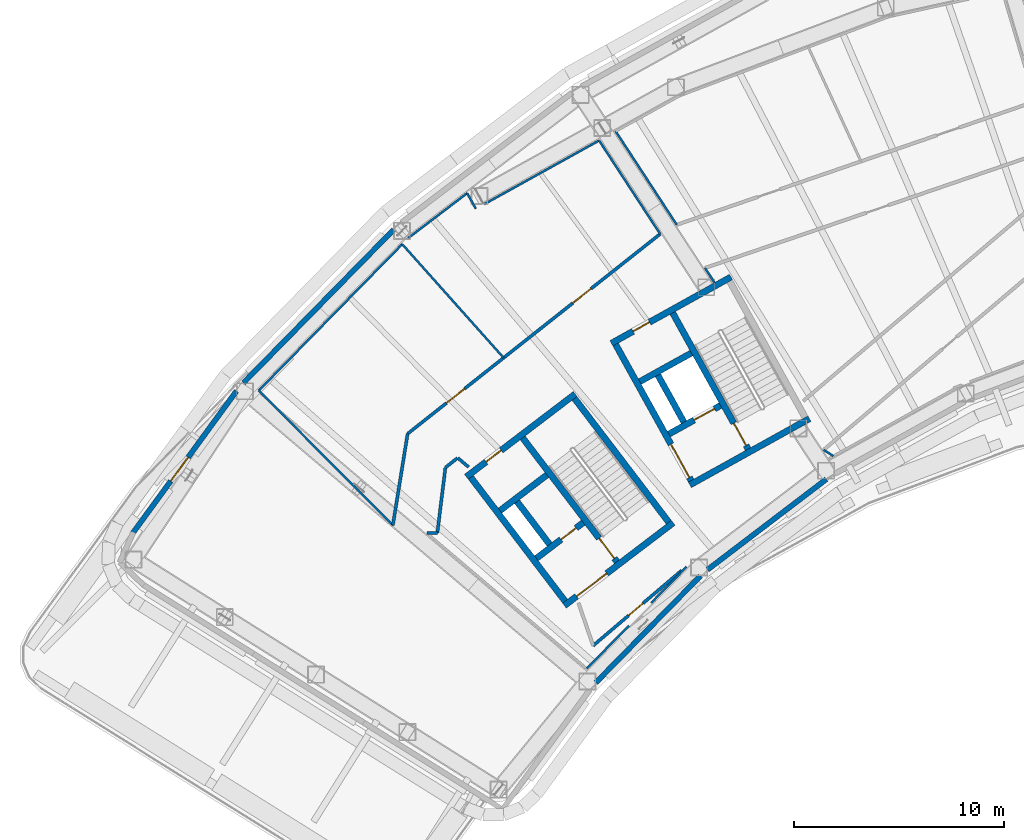
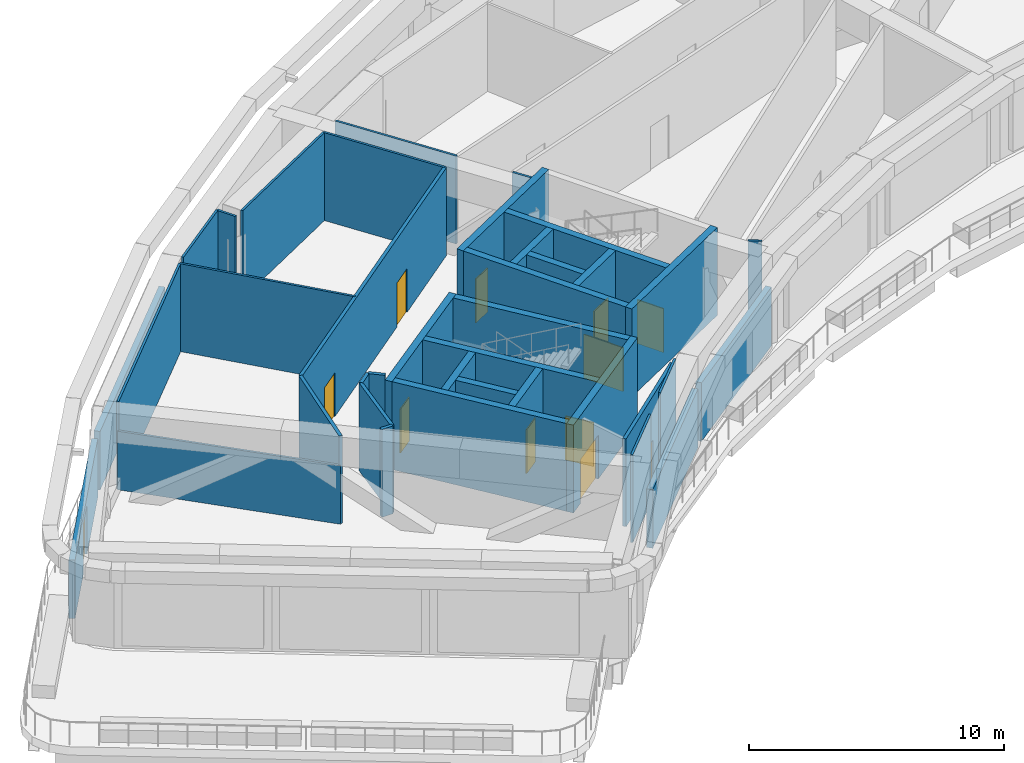
# One storey, part 7 of 25: 38 walls, 12 doors, 12 openings.
"""IFC4 building model written with IfcOpenShell, lengths in metres."""

from ifc_helpers import new_model, si_unit, direction, frame, frame_2d, origin, place, context, subcontext, project, spatial, rectangle, extrude, material, layer, layer_set, type_object, element, fill, save


model = new_model("IFC4")

# Units and contexts
model_context = context("Model", 3, precision=1e-05, world=origin(), true_north=direction((0.0, 1.0)))
body_context = subcontext(model_context, "Body", "Model", "MODEL_VIEW")
ifc_project = project(units=[si_unit("LENGTHUNIT", "METRE"), si_unit("AREAUNIT", "SQUARE_METRE"), si_unit("VOLUMEUNIT", "CUBIC_METRE"), si_unit("PLANEANGLEUNIT", "RADIAN"), si_unit("MASSUNIT", "GRAM", prefix="KILO")], contexts=[model_context])

# Site, building, storey
site_placement = place(None, origin())
site = spatial("IfcSite", under=ifc_project, at=site_placement, CompositionType="ELEMENT")
building_placement = place(site_placement, origin())
building = spatial("IfcBuilding", under=site, at=building_placement, Name="Tuul Gate Civic Tower", CompositionType="ELEMENT")
storey_placement = place(building_placement, frame((0.0, 0.0, 60.89990234375)))
storey = spatial("IfcBuildingStorey", under=building, at=storey_placement, Name="Plant and refuge floor 2", CompositionType="ELEMENT", Elevation=60.89990234375)

# Wall, opening, door
ifc_material_1 = material(Name="Concrete C50/60", Category="concrete")
ifc_layer_1 = layer(ifc_material_1, 0.300048828125)
ifc_layer_set_1 = layer_set([ifc_layer_1], Name="Concrete C50/60")
wall_type_1 = type_object("IfcWallType", Name="Core wall C50/60", PredefinedType="SHEAR", material=ifc_layer_set_1)
wall_1_placement = place(storey_placement, frame((-31.19091796875, -13.669677734375, 0.0), z_axis=(0.0, 0.0, 1.0), x_axis=(-0.795606717756, -0.605813461934, 0.0)))
wall_1 = element("IfcWall", 1, at=wall_1_placement, inside=storey, type_object=wall_type_1, Name="Core wall", PredefinedType="SHEAR", context=body_context, shape_type="SweptSolid", body=[
    extrude(rectangle(XDim=6.5, YDim=0.300048828125, at=frame_2d((3.25, 0.0))), origin(), (0.0, 0.0, 1.0), 4.2001953125),
])
opening_1_placement = place(wall_1_placement, frame((3.97509765625, 0.0, 0.0)))
opening_1 = element("IfcOpeningElement", 2, at=opening_1_placement, cuts=wall_1, Name="Opening LB-W1-LOBBY-1", PredefinedType="OPENING", context=body_context, shape_type="SweptSolid", body=[
    extrude(rectangle(XDim=1.800048828125, YDim=2.10009765625, at=frame_2d((0.89990234375, 1.050048828125))), frame((0.0, 0.16015625, 0.0), z_axis=(0.0, -1.0, 0.0), x_axis=(1.0, 0.0, 0.0)), (0.0, 0.0, 1.0), 0.320068359375),
])
ifc_material_2 = material(Name="Steel", Category="steel")
door_type_1 = type_object("IfcDoorType", Name="Lobby door", OperationType="DOUBLE_DOOR_SINGLE_SWING", PredefinedType="DOOR", material=ifc_material_2)
door_1_placement = place(opening_1_placement, origin())
door_1 = element("IfcDoor", 3, at=door_1_placement, inside=storey, type_object=door_type_1, Name="Lobby door W1-LOBBY", OperationType="DOUBLE_DOOR_SINGLE_SWING", OverallHeight=2.10009765625, OverallWidth=1.800048828125, PredefinedType="DOOR", context=body_context, shape_type="SweptSolid", body=[
    extrude(rectangle(XDim=1.800048828125, YDim=2.10009765625, at=frame_2d((0.89990234375, 1.050048828125))), frame((0.0, 0.02490234375, 0.0), z_axis=(0.0, -1.0, 0.0), x_axis=(1.0, 0.0, 0.0)), (0.0, 0.0, 1.0), 0.050048828125),
])
fill(opening_1, door_1)

wall_2_placement = place(storey_placement, frame((-35.470947265625, -13.66064453125, 0.0), z_axis=(0.0, 0.0, 1.0), x_axis=(-0.795615822227, -0.605801504968, 0.0)))
wall_2 = element("IfcWall", 4, at=wall_2_placement, inside=storey, type_object=wall_type_1, Name="Core wall", PredefinedType="SHEAR", context=body_context, shape_type="SweptSolid", body=[
    extrude(rectangle(XDim=2.800048828125, YDim=0.300048828125, at=frame_2d((1.39990234375, 0.0))), origin(), (0.0, 0.0, 1.0), 4.2001953125),
])
opening_2_placement = place(wall_2_placement, frame((0.425048828125, 0.0, 0.0)))
opening_2 = element("IfcOpeningElement", 5, at=opening_2_placement, cuts=wall_2, Name="Opening FB-W1A1", PredefinedType="OPENING", context=body_context, shape_type="SweptSolid", body=[
    extrude(rectangle(XDim=0.89990234375, YDim=2.10009765625, at=frame_2d((0.449951171875, 1.050048828125))), frame((0.0, 0.16015625, 0.0), z_axis=(0.0, -1.0, 0.0), x_axis=(1.0, 0.0, 0.0)), (0.0, 0.0, 1.0), 0.320068359375),
])
ifc_material_3 = material(Name="Steel", Category="steel")
door_type_2 = type_object("IfcDoorType", Name="Store door", OperationType="NOTDEFINED", PredefinedType="DOOR", material=ifc_material_3)
door_2_placement = place(opening_2_placement, frame((0.89990234375, 0.0, 0.0), z_axis=(0.0, 0.0, 1.0), x_axis=(-1.0, 0.0, 0.0)))
door_2 = element("IfcDoor", 6, at=door_2_placement, inside=storey, type_object=door_type_2, Name="Store door W1A1", OperationType="SINGLE_SWING_RIGHT", OverallHeight=2.10009765625, OverallWidth=0.89990234375, PredefinedType="DOOR", context=body_context, shape_type="SweptSolid", body=[
    extrude(rectangle(XDim=0.89990234375, YDim=2.10009765625, at=frame_2d((0.449951171875, 1.050048828125))), frame((0.0, 0.02490234375, 0.0), z_axis=(0.0, -1.0, 0.0), x_axis=(1.0, 0.0, 0.0)), (0.0, 0.0, 1.0), 0.050048828125),
])
fill(opening_2, door_2)

# Wall
wall_3_placement = place(storey_placement, frame((-37.197509765625, -11.39306640625, 0.0), z_axis=(0.0, 0.0, 1.0), x_axis=(-0.795583820278, -0.605843531707, 0.0)))
element("IfcWall", 7, at=wall_3_placement, inside=storey, type_object=wall_type_1, Name="Core wall", PredefinedType="SHEAR", context=body_context, shape_type="SweptSolid", body=[
    extrude(rectangle(XDim=2.7998046875, YDim=0.300048828125, at=frame_2d((1.39990234375, 0.0))), origin(), (0.0, 0.0, 1.0), 4.2001953125),
])

# Wall, opening, door
wall_4_placement = place(storey_placement, frame((-35.855224609375, -7.543212890625, 0.0), z_axis=(0.0, 0.0, 1.0), x_axis=(-0.79563860527, -0.605771582202, 0.0)))
wall_4 = element("IfcWall", 8, at=wall_4_placement, inside=storey, type_object=wall_type_1, Name="Core wall", PredefinedType="SHEAR", context=body_context, shape_type="SweptSolid", body=[
    extrude(rectangle(XDim=6.5, YDim=0.300048828125, at=frame_2d((3.25, 0.0))), origin(), (0.0, 0.0, 1.0), 4.2001953125),
])
opening_3_placement = place(wall_4_placement, frame((4.425048828125, 0.0, 0.0)))
opening_3 = element("IfcOpeningElement", 9, at=opening_3_placement, cuts=wall_4, Name="Opening PA-D22", PredefinedType="OPENING", context=body_context, shape_type="SweptSolid", body=[
    extrude(rectangle(XDim=0.89990234375, YDim=2.10009765625, at=frame_2d((0.449951171875, 1.050048828125))), frame((0.0, 0.16015625, 0.0), z_axis=(0.0, -1.0, 0.0), x_axis=(1.0, 0.0, 0.0)), (0.0, 0.0, 1.0), 0.320068359375),
])
ifc_material_4 = material(Name="Timber door leaf", Category="wood")
door_type_3 = type_object("IfcDoorType", Name="Door D09", OperationType="NOTDEFINED", PredefinedType="DOOR", material=ifc_material_4)
door_3_placement = place(opening_3_placement, origin())
door_3 = element("IfcDoor", 10, at=door_3_placement, inside=storey, type_object=door_type_3, Name="Door PA-D22", OperationType="SINGLE_SWING_LEFT", OverallHeight=2.10009765625, OverallWidth=0.89990234375, PredefinedType="DOOR", context=body_context, shape_type="SweptSolid", body=[
    extrude(rectangle(XDim=0.89990234375, YDim=2.10009765625, at=frame_2d((0.449951171875, 1.050048828125))), frame((0.0, 0.02490234375, 0.0), z_axis=(0.0, -1.0, 0.0), x_axis=(1.0, 0.0, 0.0)), (0.0, 0.0, 1.0), 0.050048828125),
])
fill(opening_3, door_3)

# Wall
wall_5_placement = place(storey_placement, frame((-31.401123046875, -13.64111328125, 0.0), z_axis=(0.0, 0.0, 1.0), x_axis=(-0.605769822278, 0.795639945213, 0.0)))
element("IfcWall", 11, at=wall_5_placement, inside=storey, type_object=wall_type_1, Name="Core wall", PredefinedType="SHEAR", context=body_context, shape_type="SweptSolid", body=[
    extrude(rectangle(XDim=7.39990234375, YDim=0.300048828125, at=frame_2d((3.699951171875, 0.0))), origin(), (0.0, 0.0, 1.0), 4.2001953125),
])

# Wall, opening, door
wall_6_placement = place(storey_placement, frame((-33.867431640625, -15.51904296875, 0.0), z_axis=(0.0, 0.0, 1.0), x_axis=(-0.605769822278, 0.795639945213, 0.0)))
wall_6 = element("IfcWall", 12, at=wall_6_placement, inside=storey, type_object=wall_type_1, Name="Core wall", PredefinedType="SHEAR", context=body_context, shape_type="SweptSolid", body=[
    extrude(rectangle(XDim=7.39990234375, YDim=0.300048828125, at=frame_2d((3.699951171875, 0.0))), origin(), (0.0, 0.0, 1.0), 4.2001953125),
])
opening_4_placement = place(wall_6_placement, frame((0.199951171875, 0.0, 0.0)))
opening_4 = element("IfcOpeningElement", 13, at=opening_4_placement, cuts=wall_6, Name="Opening SD-ST-1", PredefinedType="OPENING", context=body_context, shape_type="SweptSolid", body=[
    extrude(rectangle(XDim=1.199951171875, YDim=2.10009765625, at=frame_2d((0.60009765625, 1.050048828125))), frame((0.0, 0.16015625, 0.0), z_axis=(0.0, -1.0, 0.0), x_axis=(1.0, 0.0, 0.0)), (0.0, 0.0, 1.0), 0.320068359375),
])
ifc_material_5 = material(Name="Steel", Category="steel")
door_type_4 = type_object("IfcDoorType", Name="Stair door", OperationType="NOTDEFINED", PredefinedType="DOOR", material=ifc_material_5)
door_4_placement = place(opening_4_placement, origin())
door_4 = element("IfcDoor", 14, at=door_4_placement, inside=storey, type_object=door_type_4, Name="Stair door ST-1", OperationType="SINGLE_SWING_LEFT", OverallHeight=2.10009765625, OverallWidth=1.199951171875, PredefinedType="DOOR", context=body_context, shape_type="SweptSolid", body=[
    extrude(rectangle(XDim=1.199951171875, YDim=2.10009765625, at=frame_2d((0.60009765625, 1.050048828125))), frame((0.0, 0.02490234375, 0.0), z_axis=(0.0, -1.0, 0.0), x_axis=(1.0, 0.0, 0.0)), (0.0, 0.0, 1.0), 0.050048828125),
])
fill(opening_4, door_4)

# Walls
wall_7_placement = place(storey_placement, frame((-37.073486328125, -14.6923828125, 0.0), z_axis=(0.0, 0.0, 1.0), x_axis=(-0.605728760074, 0.79567120673, 0.0)))
element("IfcWall", 15, at=wall_7_placement, inside=storey, type_object=wall_type_1, Name="Core wall", PredefinedType="SHEAR", context=body_context, shape_type="SweptSolid", body=[
    extrude(rectangle(XDim=2.550048828125, YDim=0.300048828125, at=frame_2d((1.27490234375, 0.0))), origin(), (0.0, 0.0, 1.0), 4.2001953125),
])
wall_8_placement = place(storey_placement, frame((-36.333984375, -17.397216796875, 0.0), z_axis=(0.0, 0.0, 1.0), x_axis=(-0.605753921168, 0.795652051458, 0.0)))
element("IfcWall", 16, at=wall_8_placement, inside=storey, type_object=wall_type_1, Name="Core wall", PredefinedType="SHEAR", context=body_context, shape_type="SweptSolid", body=[
    extrude(rectangle(XDim=7.400146484375, YDim=0.300048828125, at=frame_2d((3.7001953125, 0.0))), origin(), (0.0, 0.0, 1.0), 4.2001953125),
])
wall_9_placement = place(storey_placement, frame((-24.711669921875, -8.7158203125, 0.0), z_axis=(0.0, 0.0, 1.0), x_axis=(-0.874629909008, -0.484791215132, 0.0)))
element("IfcWall", 17, at=wall_9_placement, inside=storey, type_object=wall_type_1, Name="Core wall", PredefinedType="SHEAR", context=body_context, shape_type="SweptSolid", body=[
    extrude(rectangle(XDim=6.5, YDim=0.300048828125, at=frame_2d((3.25, 0.0))), origin(), (0.0, 0.0, 1.0), 4.2001953125),
])

# Wall, opening, door
wall_10_placement = place(storey_placement, frame((-28.94580078125, -8.090087890625, 0.0), z_axis=(0.0, 0.0, 1.0), x_axis=(-0.874629840737, -0.484791338301, 0.0)))
wall_10 = element("IfcWall", 18, at=wall_10_placement, inside=storey, type_object=wall_type_1, Name="Core wall", PredefinedType="SHEAR", context=body_context, shape_type="SweptSolid", body=[
    extrude(rectangle(XDim=2.800048828125, YDim=0.300048828125, at=frame_2d((1.39990234375, 0.0))), origin(), (0.0, 0.0, 1.0), 4.2001953125),
])
opening_5_placement = place(wall_10_placement, frame((0.324951171875, 0.0, 0.0)))
opening_5 = element("IfcOpeningElement", 19, at=opening_5_placement, cuts=wall_10, Name="Opening LD-FF-1", PredefinedType="OPENING", context=body_context, shape_type="SweptSolid", body=[
    extrude(rectangle(XDim=1.10009765625, YDim=2.10009765625, at=frame_2d((0.550048828125, 1.050048828125))), frame((0.0, 0.16015625, 0.0), z_axis=(0.0, -1.0, 0.0), x_axis=(1.0, 0.0, 0.0)), (0.0, 0.0, 1.0), 0.320068359375),
])
ifc_material_6 = material(Name="Stainless steel", Category="steel")
door_type_5 = type_object("IfcDoorType", Name="Landing door", OperationType="DOUBLE_DOOR_SLIDING", PredefinedType="DOOR", material=ifc_material_6)
door_5_placement = place(opening_5_placement, origin())
door_5 = element("IfcDoor", 20, at=door_5_placement, inside=storey, type_object=door_type_5, Name="Fire-fighting lift FF-1 landing door", OperationType="DOUBLE_DOOR_SLIDING", OverallHeight=2.10009765625, OverallWidth=1.10009765625, PredefinedType="DOOR", context=body_context, shape_type="SweptSolid", body=[
    extrude(rectangle(XDim=1.10009765625, YDim=2.10009765625, at=frame_2d((0.550048828125, 1.050048828125))), frame((0.0, 0.02490234375, 0.0), z_axis=(0.0, -1.0, 0.0), x_axis=(1.0, 0.0, 0.0)), (0.0, 0.0, 1.0), 0.050048828125),
])
fill(opening_5, door_5)

# Wall
wall_11_placement = place(storey_placement, frame((-30.327392578125, -5.59716796875, 0.0), z_axis=(0.0, 0.0, 1.0), x_axis=(-0.874629840737, -0.484791338301, 0.0)))
element("IfcWall", 21, at=wall_11_placement, inside=storey, type_object=wall_type_1, Name="Core wall", PredefinedType="SHEAR", context=body_context, shape_type="SweptSolid", body=[
    extrude(rectangle(XDim=2.800048828125, YDim=0.300048828125, at=frame_2d((1.39990234375, 0.0))), origin(), (0.0, 0.0, 1.0), 4.2001953125),
])

# Wall, opening, door
wall_12_placement = place(storey_placement, frame((-28.4443359375, -1.98095703125, 0.0), z_axis=(0.0, 0.0, 1.0), x_axis=(-0.874629909008, -0.484791215132, 0.0)))
wall_12 = element("IfcWall", 22, at=wall_12_placement, inside=storey, type_object=wall_type_1, Name="Core wall", PredefinedType="SHEAR", context=body_context, shape_type="SweptSolid", body=[
    extrude(rectangle(XDim=6.5, YDim=0.300048828125, at=frame_2d((3.25, 0.0))), origin(), (0.0, 0.0, 1.0), 4.2001953125),
])
opening_6_placement = place(wall_12_placement, frame((4.425048828125, 0.0, 0.0)))
opening_6 = element("IfcOpeningElement", 23, at=opening_6_placement, cuts=wall_12, Name="Opening PA-D23", PredefinedType="OPENING", context=body_context, shape_type="SweptSolid", body=[
    extrude(rectangle(XDim=0.89990234375, YDim=2.10009765625, at=frame_2d((0.449951171875, 1.050048828125))), frame((0.0, 0.16015625, 0.0), z_axis=(0.0, -1.0, 0.0), x_axis=(1.0, 0.0, 0.0)), (0.0, 0.0, 1.0), 0.320068359375),
])
door_6_placement = place(opening_6_placement, origin())
door_6 = element("IfcDoor", 24, at=door_6_placement, inside=storey, type_object=door_type_3, Name="Door PA-D23", OperationType="SINGLE_SWING_LEFT", OverallHeight=2.10009765625, OverallWidth=0.89990234375, PredefinedType="DOOR", context=body_context, shape_type="SweptSolid", body=[
    extrude(rectangle(XDim=0.89990234375, YDim=2.10009765625, at=frame_2d((0.449951171875, 1.050048828125))), frame((0.0, 0.02490234375, 0.0), z_axis=(0.0, -1.0, 0.0), x_axis=(1.0, 0.0, 0.0)), (0.0, 0.0, 1.0), 0.050048828125),
])
fill(opening_6, door_6)

wall_13_placement = place(storey_placement, frame((-27.626953125, -10.16015625, 0.0), z_axis=(0.0, 0.0, 1.0), x_axis=(-0.484751894226, 0.874651702704, 0.0)))
wall_13 = element("IfcWall", 25, at=wall_13_placement, inside=storey, type_object=wall_type_1, Name="Core wall", PredefinedType="SHEAR", context=body_context, shape_type="SweptSolid", body=[
    extrude(rectangle(XDim=7.39990234375, YDim=0.300048828125, at=frame_2d((3.699951171875, 0.0))), origin(), (0.0, 0.0, 1.0), 4.2001953125),
])
opening_7_placement = place(wall_13_placement, frame((0.199951171875, 0.0, 0.0)))
opening_7 = element("IfcOpeningElement", 26, at=opening_7_placement, cuts=wall_13, Name="Opening SD-ST-2", PredefinedType="OPENING", context=body_context, shape_type="SweptSolid", body=[
    extrude(rectangle(XDim=1.199951171875, YDim=2.10009765625, at=frame_2d((0.60009765625, 1.050048828125))), frame((0.0, 0.16015625, 0.0), z_axis=(0.0, -1.0, 0.0), x_axis=(1.0, 0.0, 0.0)), (0.0, 0.0, 1.0), 0.320068359375),
])
door_7_placement = place(opening_7_placement, origin())
door_7 = element("IfcDoor", 27, at=door_7_placement, inside=storey, type_object=door_type_4, Name="Stair door ST-2", OperationType="SINGLE_SWING_LEFT", OverallHeight=2.10009765625, OverallWidth=1.199951171875, PredefinedType="DOOR", context=body_context, shape_type="SweptSolid", body=[
    extrude(rectangle(XDim=1.199951171875, YDim=2.10009765625, at=frame_2d((0.60009765625, 1.050048828125))), frame((0.0, 0.02490234375, 0.0), z_axis=(0.0, -1.0, 0.0), x_axis=(1.0, 0.0, 0.0)), (0.0, 0.0, 1.0), 0.050048828125),
])
fill(opening_7, door_7)

# Wall
wall_14_placement = place(storey_placement, frame((-30.680419921875, -8.8798828125, 0.0), z_axis=(0.0, 0.0, 1.0), x_axis=(-0.484724115216, 0.874667097888, 0.0)))
element("IfcWall", 28, at=wall_14_placement, inside=storey, type_object=wall_type_1, Name="Core wall", PredefinedType="SHEAR", context=body_context, shape_type="SweptSolid", body=[
    extrude(rectangle(XDim=2.550048828125, YDim=0.300048828125, at=frame_2d((1.27490234375, 0.0))), origin(), (0.0, 0.0, 1.0), 4.2001953125),
])

# Wall, opening, door
wall_15_placement = place(storey_placement, frame((-30.33837890625, -11.6630859375, 0.0), z_axis=(0.0, 0.0, 1.0), x_axis=(-0.484751894226, 0.874651702704, 0.0)))
wall_15 = element("IfcWall", 29, at=wall_15_placement, inside=storey, type_object=wall_type_1, Name="Core wall", PredefinedType="SHEAR", context=body_context, shape_type="SweptSolid", body=[
    extrude(rectangle(XDim=7.39990234375, YDim=0.300048828125, at=frame_2d((3.699951171875, 0.0))), origin(), (0.0, 0.0, 1.0), 4.2001953125),
])
opening_8_placement = place(wall_15_placement, frame((0.175048828125, 0.0, 0.0)))
opening_8 = element("IfcOpeningElement", 30, at=opening_8_placement, cuts=wall_15, Name="Opening LB-W2-FLOBBY-1", PredefinedType="OPENING", context=body_context, shape_type="SweptSolid", body=[
    extrude(rectangle(XDim=1.800048828125, YDim=2.10009765625, at=frame_2d((0.89990234375, 1.050048828125))), frame((0.0, 0.16015625, 0.0), z_axis=(0.0, -1.0, 0.0), x_axis=(1.0, 0.0, 0.0)), (0.0, 0.0, 1.0), 0.320068359375),
])
door_8_placement = place(opening_8_placement, origin())
door_8 = element("IfcDoor", 31, at=door_8_placement, inside=storey, type_object=door_type_1, Name="Lobby door W2-FLOBBY", OperationType="DOUBLE_DOOR_SINGLE_SWING", OverallHeight=2.10009765625, OverallWidth=1.800048828125, PredefinedType="DOOR", context=body_context, shape_type="SweptSolid", body=[
    extrude(rectangle(XDim=1.800048828125, YDim=2.10009765625, at=frame_2d((0.89990234375, 1.050048828125))), frame((0.0, 0.02490234375, 0.0), z_axis=(0.0, -1.0, 0.0), x_axis=(1.0, 0.0, 0.0)), (0.0, 0.0, 1.0), 0.050048828125),
])
fill(opening_8, door_8)

ifc_material_7 = material(Name="Gypsum board partition")
ifc_layer_2 = layer(ifc_material_7, 0.14990234375)
ifc_layer_set_2 = layer_set([ifc_layer_2], Name="Gypsum board partition")
wall_type_2 = type_object("IfcWallType", Name="Corridor wall P150", PredefinedType="PARTITIONING", material=ifc_layer_set_2)
wall_16_placement = place(storey_placement, frame((-34.997802734375, -19.510986328125, 0.0), z_axis=(0.0, 0.0, 1.0), x_axis=(0.76225577735, 0.647275930262, 0.0)))
wall_16 = element("IfcWall", 32, at=wall_16_placement, inside=storey, type_object=wall_type_2, Name="p027", PredefinedType="PARTITIONING", context=body_context, shape_type="SweptSolid", body=[
    extrude(rectangle(XDim=5.5185546875, YDim=0.14990234375, at=frame_2d((2.75927734375, 0.0))), origin(), (0.0, 0.0, 1.0), 4.2001953125),
])
opening_9_placement = place(wall_16_placement, frame((2.208984375, 0.0, 0.0)))
opening_9 = element("IfcOpeningElement", 33, at=opening_9_placement, cuts=wall_16, Name="Opening PA-D20", PredefinedType="OPENING", context=body_context, shape_type="SweptSolid", body=[
    extrude(rectangle(XDim=0.89990234375, YDim=2.10009765625, at=frame_2d((0.449951171875, 1.050048828125))), frame((0.0, 0.0849609375, 0.0), z_axis=(0.0, -1.0, 0.0), x_axis=(1.0, 0.0, 0.0)), (0.0, 0.0, 1.0), 0.169921875),
])
door_9_placement = place(opening_9_placement, frame((0.89990234375, 0.0, 0.0), z_axis=(0.0, 0.0, 1.0), x_axis=(-1.0, 0.0, 0.0)))
door_9 = element("IfcDoor", 34, at=door_9_placement, inside=storey, type_object=door_type_3, Name="Door PA-D20", OperationType="SINGLE_SWING_LEFT", OverallHeight=2.10009765625, OverallWidth=0.89990234375, PredefinedType="DOOR", context=body_context, shape_type="SweptSolid", body=[
    extrude(rectangle(XDim=0.89990234375, YDim=2.10009765625, at=frame_2d((0.449951171875, 1.050048828125))), frame((0.0, 0.02490234375, 0.0), z_axis=(0.0, -1.0, 0.0), x_axis=(1.0, 0.0, 0.0)), (0.0, 0.0, 1.0), 0.050048828125),
])
fill(opening_9, door_9)

# Wall, openings, doors
wall_17_placement = place(storey_placement, frame((-43.82177734375, -9.432861328125, 0.0), z_axis=(0.0, 0.0, 1.0), x_axis=(0.784322145418, 0.620353747637, 0.0)))
wall_17 = element("IfcWall", 35, at=wall_17_placement, inside=storey, type_object=wall_type_2, Name="p040", PredefinedType="PARTITIONING", context=body_context, shape_type="SweptSolid", body=[
    extrude(rectangle(XDim=15.31396484375, YDim=0.14990234375, at=frame_2d((7.656982421875, 0.0))), origin(), (0.0, 0.0, 1.0), 4.2001953125),
])
opening_10_placement = place(wall_17_placement, frame((10.017578125, 0.0, 0.0)))
opening_10 = element("IfcOpeningElement", 36, at=opening_10_placement, cuts=wall_17, Name="Opening PA-D18", PredefinedType="OPENING", context=body_context, shape_type="SweptSolid", body=[
    extrude(rectangle(XDim=1.10009765625, YDim=2.10009765625, at=frame_2d((0.550048828125, 1.050048828125))), frame((0.0, 0.0849609375, 0.0), z_axis=(0.0, -1.0, 0.0), x_axis=(1.0, 0.0, 0.0)), (0.0, 0.0, 1.0), 0.169921875),
])
opening_11_placement = place(wall_17_placement, frame((2.360595703125, 0.0, 0.0)))
opening_11 = element("IfcOpeningElement", 37, at=opening_11_placement, cuts=wall_17, Name="Opening PA-D19", PredefinedType="OPENING", context=body_context, shape_type="SweptSolid", body=[
    extrude(rectangle(XDim=1.10009765625, YDim=2.10009765625, at=frame_2d((0.550048828125, 1.050048828125))), frame((0.0, 0.0849609375, 0.0), z_axis=(0.0, -1.0, 0.0), x_axis=(1.0, 0.0, 0.0)), (0.0, 0.0, 1.0), 0.169921875),
])
ifc_material_8 = material(Name="Timber door leaf", Category="wood")
door_type_6 = type_object("IfcDoorType", Name="Door D11", OperationType="NOTDEFINED", PredefinedType="DOOR", material=ifc_material_8)
door_10_placement = place(opening_10_placement, origin())
door_10 = element("IfcDoor", 38, at=door_10_placement, inside=storey, type_object=door_type_6, Name="Door PA-D18", OperationType="SINGLE_SWING_RIGHT", OverallHeight=2.10009765625, OverallWidth=1.10009765625, PredefinedType="DOOR", context=body_context, shape_type="SweptSolid", body=[
    extrude(rectangle(XDim=1.10009765625, YDim=2.10009765625, at=frame_2d((0.550048828125, 1.050048828125))), frame((0.0, 0.02490234375, 0.0), z_axis=(0.0, -1.0, 0.0), x_axis=(1.0, 0.0, 0.0)), (0.0, 0.0, 1.0), 0.050048828125),
])
fill(opening_10, door_10)
door_11_placement = place(opening_11_placement, origin())
door_11 = element("IfcDoor", 39, at=door_11_placement, inside=storey, type_object=door_type_6, Name="Door PA-D19", OperationType="SINGLE_SWING_RIGHT", OverallHeight=2.10009765625, OverallWidth=1.10009765625, PredefinedType="DOOR", context=body_context, shape_type="SweptSolid", body=[
    extrude(rectangle(XDim=1.10009765625, YDim=2.10009765625, at=frame_2d((0.550048828125, 1.050048828125))), frame((0.0, 0.02490234375, 0.0), z_axis=(0.0, -1.0, 0.0), x_axis=(1.0, 0.0, 0.0)), (0.0, 0.0, 1.0), 0.050048828125),
])
fill(opening_11, door_11)

# Walls
wall_18_placement = place(storey_placement, frame((-44.5244140625, -13.786376953125, 0.0), z_axis=(0.0, 0.0, 1.0), x_axis=(0.159251588952, 0.987238031792, 0.0)))
element("IfcWall", 40, at=wall_18_placement, inside=storey, type_object=wall_type_2, Name="p041", PredefinedType="PARTITIONING", context=body_context, shape_type="SweptSolid", body=[
    extrude(rectangle(XDim=4.408935546875, YDim=0.14990234375, at=frame_2d((2.20458984375, 0.0))), origin(), (0.0, 0.0, 1.0), 4.2001953125),
])
wall_19_placement = place(storey_placement, frame((-42.91162109375, -14.1533203125, 0.0), z_axis=(0.0, 0.0, 1.0), x_axis=(0.99999704005, -0.002433082823, 0.0)))
element("IfcWall", 41, at=wall_19_placement, inside=storey, type_object=wall_type_2, Name="p043", PredefinedType="PARTITIONING", context=body_context, shape_type="SweptSolid", body=[
    extrude(rectangle(XDim=0.501708984375, YDim=0.14990234375, at=frame_2d((0.2509765625, 0.0))), origin(), (0.0, 0.0, 1.0), 4.2001953125),
])
wall_20_placement = place(storey_placement, frame((-42.4091796875, -14.154052734375, 0.0), z_axis=(0.0, 0.0, 1.0), x_axis=(0.122545555358, 0.992462889413, 0.0)))
element("IfcWall", 42, at=wall_20_placement, inside=storey, type_object=wall_type_2, Name="p044", PredefinedType="PARTITIONING", context=body_context, shape_type="SweptSolid", body=[
    extrude(rectangle(XDim=3.1279296875, YDim=0.14990234375, at=frame_2d((1.56396484375, 0.0))), origin(), (0.0, 0.0, 1.0), 4.2001953125),
])
wall_21_placement = place(storey_placement, frame((-42.018310546875, -11.03662109375, 0.0), z_axis=(0.0, 0.0, 1.0), x_axis=(0.783639977878, 0.621215248582, 0.0)))
element("IfcWall", 43, at=wall_21_placement, inside=storey, type_object=wall_type_2, Name="p045", PredefinedType="PARTITIONING", context=body_context, shape_type="SweptSolid", body=[
    extrude(rectangle(XDim=0.719970703125, YDim=0.14990234375, at=frame_2d((0.35986328125, 0.0))), origin(), (0.0, 0.0, 1.0), 4.2001953125),
])
wall_22_placement = place(storey_placement, frame((-41.4287109375, -10.58984375, 0.0), z_axis=(0.0, 0.0, 1.0), x_axis=(0.762345132317, -0.647170687866, 0.0)))
element("IfcWall", 44, at=wall_22_placement, inside=storey, type_object=wall_type_2, Name="p046", PredefinedType="PARTITIONING", context=body_context, shape_type="SweptSolid", body=[
    extrude(rectangle(XDim=0.667724609375, YDim=0.14990234375, at=frame_2d((0.333984375, 0.0))), origin(), (0.0, 0.0, 1.0), 4.2001953125),
])
ifc_material_9 = material(Name="Precast concrete C40/50", Category="concrete")
ifc_layer_3 = layer(ifc_material_9, 0.25)
ifc_layer_set_3 = layer_set([ifc_layer_3], Name="Precast concrete C40/50")
wall_type_3 = type_object("IfcWallType", Name="External wall 2800 HIGH", PredefinedType="STANDARD", material=ifc_layer_set_3)
wall_23_placement = place(storey_placement, frame((-44.489013671875, 0.2724609375, 0.0), z_axis=(0.0, 0.0, 1.0), x_axis=(-0.700044599562, -0.714099123809, 0.0)))
element("IfcWall", 45, at=wall_23_placement, inside=storey, type_object=wall_type_3, Name="External wall", PredefinedType="STANDARD", context=body_context, shape_type="SweptSolid", body=[
    extrude(rectangle(XDim=10.19677734375, YDim=0.25, at=frame_2d((5.098388671875, 0.0))), origin(), (0.0, 0.0, 1.0), 2.800048828125),
])

# Wall, opening, door
wall_24_placement = place(storey_placement, frame((-51.964111328125, -7.405517578125, 0.0), z_axis=(0.0, 0.0, 1.0), x_axis=(-0.58975151757, -0.80758476182, 0.0)))
wall_24 = element("IfcWall", 46, at=wall_24_placement, inside=storey, type_object=wall_type_3, Name="External wall", PredefinedType="STANDARD", context=body_context, shape_type="SweptSolid", body=[
    extrude(rectangle(XDim=8.33740234375, YDim=0.25, at=frame_2d((4.168701171875, 0.0))), origin(), (0.0, 0.0, 1.0), 2.800048828125),
])
opening_12_placement = place(wall_24_placement, frame((3.89990234375, 0.0, 0.0)))
opening_12 = element("IfcOpeningElement", 47, at=opening_12_placement, cuts=wall_24, Name="Opening TD", PredefinedType="OPENING", context=body_context, shape_type="SweptSolid", body=[
    extrude(rectangle(XDim=1.39990234375, YDim=2.39990234375, at=frame_2d((0.699951171875, 1.199951171875))), frame((0.0, 0.135009765625, 0.0), z_axis=(0.0, -1.0, 0.0), x_axis=(1.0, 0.0, 0.0)), (0.0, 0.0, 1.0), 0.27001953125),
])
ifc_material_10 = material(Name="Glazed aluminium", Category="aluminium")
door_type_7 = type_object("IfcDoorType", Name="Terrace door", OperationType="DOUBLE_DOOR_SINGLE_SWING", PredefinedType="DOOR", material=ifc_material_10)
door_12_placement = place(opening_12_placement, origin())
door_12 = element("IfcDoor", 48, at=door_12_placement, inside=storey, type_object=door_type_7, Name="Terrace door", OperationType="DOUBLE_DOOR_SINGLE_SWING", OverallHeight=2.39990234375, OverallWidth=1.39990234375, PredefinedType="DOOR", context=body_context, shape_type="SweptSolid", body=[
    extrude(rectangle(XDim=1.39990234375, YDim=2.39990234375, at=frame_2d((0.699951171875, 1.199951171875))), frame((0.0, 0.02490234375, 0.0), z_axis=(0.0, -1.0, 0.0), x_axis=(1.0, 0.0, 0.0)), (0.0, 0.0, 1.0), 0.050048828125),
])
fill(opening_12, door_12)

# Walls
wall_25_placement = place(storey_placement, frame((-34.873046875, -21.2734375, 0.0), z_axis=(0.0, 0.0, 1.0), x_axis=(0.700102647984, 0.714042213238, 0.0)))
element("IfcWall", 49, at=wall_25_placement, inside=storey, type_object=wall_type_3, Name="External wall", PredefinedType="STANDARD", context=body_context, shape_type="SweptSolid", body=[
    extrude(rectangle(XDim=7.11083984375, YDim=0.25, at=frame_2d((3.555419921875, 0.0))), origin(), (0.0, 0.0, 1.0), 2.800048828125),
])
wall_26_placement = place(storey_placement, frame((-29.55810546875, -15.900146484375, 0.0), z_axis=(0.0, 0.0, 1.0), x_axis=(0.795581612251, 0.605846431242, 0.0)))
element("IfcWall", 50, at=wall_26_placement, inside=storey, type_object=wall_type_3, Name="External wall", PredefinedType="STANDARD", context=body_context, shape_type="SweptSolid", body=[
    extrude(rectangle(XDim=7.102783203125, YDim=0.25, at=frame_2d((3.55126953125, 0.0))), origin(), (0.0, 0.0, 1.0), 2.800048828125),
])
ifc_material_11 = material(Name="Gypsum board partition")
ifc_layer_4 = layer(ifc_material_11, 0.10009765625)
ifc_layer_set_4 = layer_set([ifc_layer_4], Name="Gypsum board partition")
wall_type_4 = type_object("IfcWallType", Name="Partition P100", PredefinedType="PARTITIONING", material=ifc_layer_set_4)
wall_27_placement = place(storey_placement, frame((-44.07958984375, -0.417236328125, 0.0), z_axis=(0.0, 0.0, 1.0), x_axis=(0.665862383259, -0.746074585119, 0.0)))
element("IfcWall", 51, at=wall_27_placement, inside=storey, type_object=wall_type_4, Name="p039", PredefinedType="PARTITIONING", context=body_context, shape_type="SweptSolid", body=[
    extrude(rectangle(XDim=7.243896484375, YDim=0.10009765625, at=frame_2d((3.6220703125, 0.0))), origin(), (0.0, 0.0, 1.0), 4.2001953125),
])
wall_28_placement = place(storey_placement, frame((-23.578125, -10.494140625, 0.0), z_axis=(0.0, 0.0, 1.0), x_axis=(-0.838515746434, 0.544877365085, 0.0)))
element("IfcWall", 52, at=wall_28_placement, inside=storey, type_object=wall_type_4, Name="p097", PredefinedType="PARTITIONING", context=body_context, shape_type="SweptSolid", body=[
    extrude(rectangle(XDim=0.541259765625, YDim=0.10009765625, at=frame_2d((0.2705078125, 0.0))), origin(), (0.0, 0.0, 1.0), 4.2001953125),
])
wall_29_placement = place(storey_placement, frame((-31.021728515625, 0.5048828125, 0.0), z_axis=(0.0, 0.0, 1.0), x_axis=(-0.546750095595, 0.837295845545, 0.0)))
element("IfcWall", 53, at=wall_29_placement, inside=storey, type_object=wall_type_4, Name="p101", PredefinedType="PARTITIONING", context=body_context, shape_type="SweptSolid", body=[
    extrude(rectangle(XDim=5.310546875, YDim=0.10009765625, at=frame_2d((2.6552734375, 0.0))), origin(), (0.0, 0.0, 1.0), 4.2001953125),
])
wall_30_placement = place(storey_placement, frame((-29.22705078125, -2.243408203125, 0.0), z_axis=(0.0, 0.0, 1.0), x_axis=(-0.546852162815, 0.837229187275, 0.0)))
element("IfcWall", 54, at=wall_30_placement, inside=storey, type_object=wall_type_4, Name="p104", PredefinedType="PARTITIONING", context=body_context, shape_type="SweptSolid", body=[
    extrude(rectangle(XDim=0.828125, YDim=0.10009765625, at=frame_2d((0.4140625, 0.0))), origin(), (0.0, 0.0, 1.0), 4.2001953125),
])
wall_31_placement = place(storey_placement, frame((-43.79052734375, -0.122314453125, 0.0), z_axis=(0.0, 0.0, 1.0), x_axis=(0.795641882109, 0.605767278279, 0.0)))
element("IfcWall", 55, at=wall_31_placement, inside=storey, type_object=wall_type_4, Name="p106", PredefinedType="PARTITIONING", context=body_context, shape_type="SweptSolid", body=[
    extrude(rectangle(XDim=3.519287109375, YDim=0.10009765625, at=frame_2d((1.759765625, 0.0))), origin(), (0.0, 0.0, 1.0), 4.2001953125),
])
wall_32_placement = place(storey_placement, frame((-40.990478515625, 2.009521484375, 0.0), z_axis=(0.0, 0.0, 1.0), x_axis=(0.484864152997, -0.874589476919, 0.0)))
element("IfcWall", 56, at=wall_32_placement, inside=storey, type_object=wall_type_4, Name="p107", PredefinedType="PARTITIONING", context=body_context, shape_type="SweptSolid", body=[
    extrude(rectangle(XDim=0.85205078125, YDim=0.10009765625, at=frame_2d((0.426025390625, 0.0))), origin(), (0.0, 0.0, 1.0), 4.2001953125),
])
wall_33_placement = place(storey_placement, frame((-40.183837890625, 1.482421875, 0.0), z_axis=(0.0, 0.0, 1.0), x_axis=(0.874630159252, 0.484790763657, 0.0)))
element("IfcWall", 57, at=wall_33_placement, inside=storey, type_object=wall_type_4, Name="p108", PredefinedType="PARTITIONING", context=body_context, shape_type="SweptSolid", body=[
    extrude(rectangle(XDim=6.253173828125, YDim=0.10009765625, at=frame_2d((3.12646484375, 0.0))), origin(), (0.0, 0.0, 1.0), 4.2001953125),
])
wall_34_placement = place(storey_placement, frame((-34.714599609375, 4.513916015625, 0.0), z_axis=(0.0, 0.0, 1.0), x_axis=(0.546761278674, -0.837288542943, 0.0)))
element("IfcWall", 58, at=wall_34_placement, inside=storey, type_object=wall_type_4, Name="p109", PredefinedType="PARTITIONING", context=body_context, shape_type="SweptSolid", body=[
    extrude(rectangle(XDim=5.31103515625, YDim=0.10009765625, at=frame_2d((2.655517578125, 0.0))), origin(), (0.0, 0.0, 1.0), 4.2001953125),
])
wall_35_placement = place(storey_placement, frame((-50.904052734375, -7.37841796875, 0.0), z_axis=(0.0, 0.0, 1.0), x_axis=(0.700059642379, 0.714084376745, 0.0)))
element("IfcWall", 59, at=wall_35_placement, inside=storey, type_object=wall_type_4, Name="p111", PredefinedType="PARTITIONING", context=body_context, shape_type="SweptSolid", body=[
    extrude(rectangle(XDim=9.748291015625, YDim=0.10009765625, at=frame_2d((4.8740234375, 0.0))), origin(), (0.0, 0.0, 1.0), 4.2001953125),
])
wall_36_placement = place(storey_placement, frame((-30.5517578125, -15.7587890625, 0.0), z_axis=(0.0, 0.0, 1.0), x_axis=(-0.699992544023, -0.714150151097, 0.0)))
element("IfcWall", 60, at=wall_36_placement, inside=storey, type_object=wall_type_4, Name="p112", PredefinedType="PARTITIONING", context=body_context, shape_type="SweptSolid", body=[
    extrude(rectangle(XDim=2.414306640625, YDim=0.10009765625, at=frame_2d((1.20703125, 0.0))), origin(), (0.0, 0.0, 1.0), 4.2001953125),
])
wall_37_placement = place(storey_placement, frame((-33.302490234375, -18.565185546875, 0.0), z_axis=(0.0, 0.0, 1.0), x_axis=(-0.70006029688, -0.714083735098, 0.0)))
element("IfcWall", 61, at=wall_37_placement, inside=storey, type_object=wall_type_4, Name="p112", PredefinedType="PARTITIONING", context=body_context, shape_type="SweptSolid", body=[
    extrude(rectangle(XDim=2.855224609375, YDim=0.10009765625, at=frame_2d((1.427734375, 0.0))), origin(), (0.0, 0.0, 1.0), 4.2001953125),
])
ifc_material_12 = material(Name="Gypsum board partition")
ifc_layer_5 = layer(ifc_material_12, 0.10009765625)
ifc_layer_set_5 = layer_set([ifc_layer_5], Name="Gypsum board partition")
wall_type_5 = type_object("IfcWallType", Name="Partition P100 2800 HIGH", PredefinedType="PARTITIONING", material=ifc_layer_set_5)
wall_38_placement = place(storey_placement, frame((-44.5244140625, -13.786376953125, 0.0), z_axis=(0.0, 0.0, 1.0), x_axis=(-0.705539042563, 0.70867105163, 0.0)))
element("IfcWall", 62, at=wall_38_placement, inside=storey, type_object=wall_type_5, Name="p110", PredefinedType="PARTITIONING", context=body_context, shape_type="SweptSolid", body=[
    extrude(rectangle(XDim=9.042236328125, YDim=0.10009765625, at=frame_2d((4.52099609375, 0.0))), origin(), (0.0, 0.0, 1.0), 2.800048828125),
])

save(model, "model.ifc")
